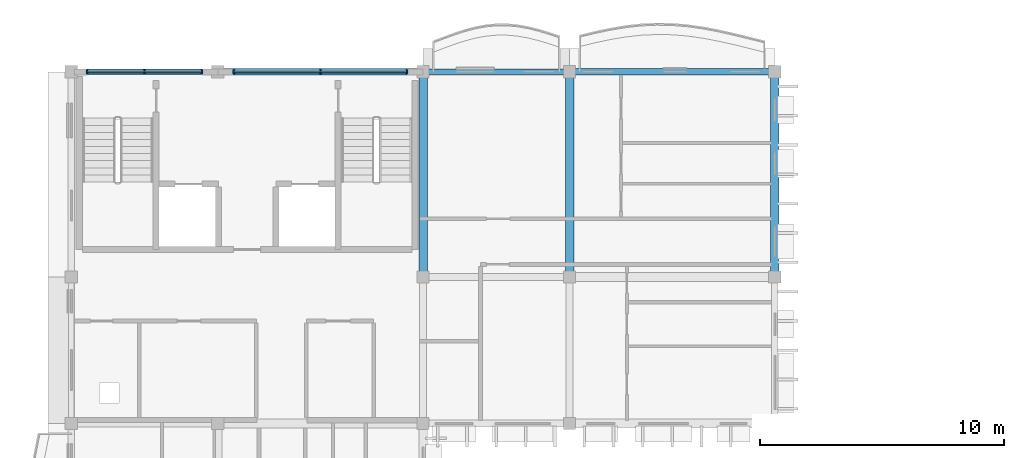
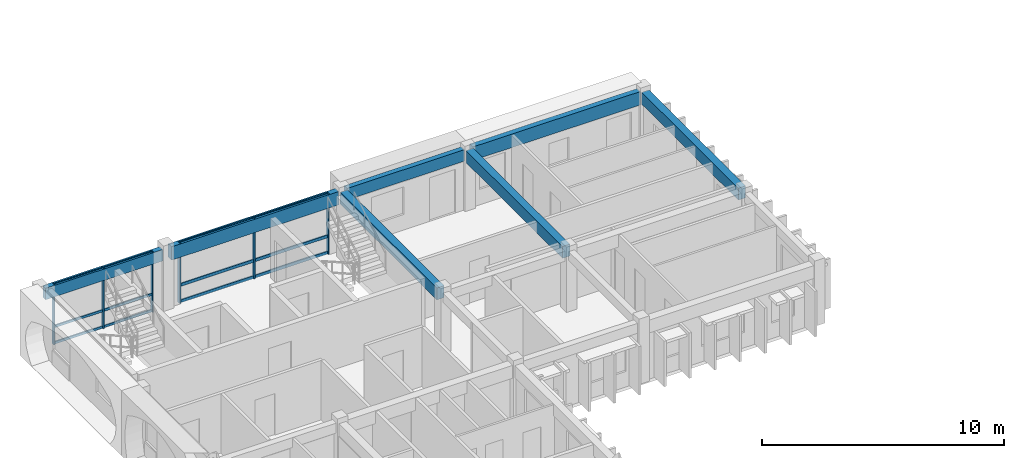
# One storey, part 2 of 28: 12 members, 7 beams, 2 elements without a shape of their own.
"""IFC4 building model written with IfcOpenShell, lengths in metres."""

from ifc_helpers import new_model, si_unit, direction, frame, origin, origin_2d, place, context, subcontext, project, spatial, rectangle, extrude, material, material_profile, profile_set, type_object, element, aggregate, save


model = new_model("IFC4")

# Units and contexts
model_context = context("Model", 3, precision=1e-05, world=origin(), true_north=direction((0.0, 1.0)))
body_context = subcontext(model_context, "Body", "Model", "MODEL_VIEW")
ifc_project = project(units=[si_unit("LENGTHUNIT", "METRE"), si_unit("AREAUNIT", "SQUARE_METRE"), si_unit("VOLUMEUNIT", "CUBIC_METRE"), si_unit("PLANEANGLEUNIT", "RADIAN"), si_unit("MASSUNIT", "GRAM", prefix="KILO"), si_unit("THERMODYNAMICTEMPERATUREUNIT", "KELVIN")], contexts=[model_context])

# Site, building, storey
site_placement = place(None, origin())
site = spatial("IfcSite", under=ifc_project, at=site_placement, CompositionType="ELEMENT")
building_placement = place(site_placement, origin())
building = spatial("IfcBuilding", under=site, at=building_placement, Name="Thalorik Housing Commons", CompositionType="ELEMENT")
storey_placement = place(building_placement, frame((0.0, 0.0, 41.10009765625)))
storey = spatial("IfcBuildingStorey", under=building, at=storey_placement, Name="L12", CompositionType="ELEMENT", Elevation=41.10009765625)

# Curtain wall, members
ifc_material_1 = material(Name="Anodised aluminium and solar-control low-E glass", Category="aluminium")
curtain_wall_type = type_object("IfcCurtainWallType", Name="ARC-CW-CORE", PredefinedType="USERDEFINED", material=ifc_material_1)
curtain_wall_1_placement = place(storey_placement, origin())
curtain_wall_1 = element("IfcCurtainWall", 1, at=curtain_wall_1_placement, inside=storey, type_object=curtain_wall_type, Name="L12 Curtain Wall CW-CORE-L12-A-054", ObjectType="CURTAIN WALL", PredefinedType="USERDEFINED")
ifc_material_2 = material(Name="Anodised aluminium 6063-T6", Category="aluminium")
ifc_material_profile_1 = material_profile(ifc_material_2, rectangle(XDim=0.06005859375, YDim=0.159912109375, at=origin_2d()), Name="ALU MUL 60x160", Category="aluminium")
ifc_profile_set_1 = profile_set([ifc_material_profile_1], Name="Anodised aluminium 6063-T6")
member_type_1 = type_object("IfcMemberType", Name="ARC-CW-MUL-60x160", PredefinedType="MULLION", material=ifc_profile_set_1)
member_1_placement = place(storey_placement, frame((13.75, 123.60009765625, 0.0), z_axis=(0.0, 0.0, 1.0), x_axis=(-1.0, 0.0, 0.0)))
member_1 = element("IfcMember", 2, at=member_1_placement, type_object=member_type_1, Name="CW-CORE-L12-A-054 Mullion 1", PredefinedType="MULLION", context=body_context, shape_type="SweptSolid", body=[
    extrude(rectangle(XDim=0.06005859375, YDim=0.159912109375, at=origin_2d()), origin(), (0.0, 0.0, 1.0), 3.039794921875),
])
member_2_placement = place(storey_placement, frame((11.39990234375, 123.60009765625, 0.0), z_axis=(0.0, 0.0, 1.0), x_axis=(-1.0, 0.0, 0.0)))
member_2 = element("IfcMember", 3, at=member_2_placement, type_object=member_type_1, Name="CW-CORE-L12-A-054 Mullion 2", PredefinedType="MULLION", context=body_context, shape_type="SweptSolid", body=[
    extrude(rectangle(XDim=0.06005859375, YDim=0.159912109375, at=origin_2d()), origin(), (0.0, 0.0, 1.0), 3.039794921875),
])
member_3_placement = place(storey_placement, frame((9.050048828125, 123.60009765625, 0.0), z_axis=(0.0, 0.0, 1.0), x_axis=(-1.0, 0.0, 0.0)))
member_3 = element("IfcMember", 4, at=member_3_placement, type_object=member_type_1, Name="CW-CORE-L12-A-054 Mullion 3", PredefinedType="MULLION", context=body_context, shape_type="SweptSolid", body=[
    extrude(rectangle(XDim=0.06005859375, YDim=0.159912109375, at=origin_2d()), origin(), (0.0, 0.0, 1.0), 3.039794921875),
])

curtain_wall_2_placement = place(storey_placement, origin())
curtain_wall_2 = element("IfcCurtainWall", 5, at=curtain_wall_2_placement, inside=storey, type_object=curtain_wall_type, Name="L12 Curtain Wall CW-CORE-L12-A-053", ObjectType="CURTAIN WALL", PredefinedType="USERDEFINED")
ifc_material_profile_2 = material_profile(ifc_material_2, rectangle(XDim=0.06494140625, YDim=0.179931640625, at=origin_2d()), Name="ALU MUL 65x180", Category="aluminium")
ifc_profile_set_2 = profile_set([ifc_material_profile_2], Name="Anodised aluminium 6063-T6")
member_type_2 = type_object("IfcMemberType", Name="ARC-CW-MUL-65x180", PredefinedType="MULLION", material=ifc_profile_set_2)
member_4_placement = place(storey_placement, frame((22.14990234375, 123.60009765625, 0.0), z_axis=(0.0, 0.0, 1.0), x_axis=(-1.0, 0.0, 0.0)))
member_4 = element("IfcMember", 6, at=member_4_placement, type_object=member_type_2, Name="CW-CORE-L12-A-053 Mullion 1", PredefinedType="MULLION", context=body_context, shape_type="SweptSolid", body=[
    extrude(rectangle(XDim=0.06494140625, YDim=0.179931640625, at=origin_2d()), origin(), (0.0, 0.0, 1.0), 3.039794921875),
])
member_5_placement = place(storey_placement, frame((18.60009765625, 123.60009765625, 0.0), z_axis=(0.0, 0.0, 1.0), x_axis=(-1.0, 0.0, 0.0)))
member_5 = element("IfcMember", 7, at=member_5_placement, type_object=member_type_2, Name="CW-CORE-L12-A-053 Mullion 2", PredefinedType="MULLION", context=body_context, shape_type="SweptSolid", body=[
    extrude(rectangle(XDim=0.06494140625, YDim=0.179931640625, at=origin_2d()), origin(), (0.0, 0.0, 1.0), 3.039794921875),
])
member_6_placement = place(storey_placement, frame((15.050048828125, 123.60009765625, 0.0), z_axis=(0.0, 0.0, 1.0), x_axis=(-1.0, 0.0, 0.0)))
member_6 = element("IfcMember", 8, at=member_6_placement, type_object=member_type_2, Name="CW-CORE-L12-A-053 Mullion 3", PredefinedType="MULLION", context=body_context, shape_type="SweptSolid", body=[
    extrude(rectangle(XDim=0.06494140625, YDim=0.179931640625, at=origin_2d()), origin(), (0.0, 0.0, 1.0), 3.039794921875),
])

# Member
ifc_material_profile_3 = material_profile(ifc_material_2, rectangle(XDim=0.06005859375, YDim=0.1201171875, at=origin_2d()), Name="ALU TRN 60x120", Category="aluminium")
ifc_profile_set_3 = profile_set([ifc_material_profile_3], Name="Anodised aluminium 6063-T6")
member_type_3 = type_object("IfcMemberType", Name="ARC-CW-TRN-60x120", PredefinedType="USERDEFINED", material=ifc_profile_set_3)
member_7_placement = place(storey_placement, frame((13.75, 123.60009765625, 0.054931640625), z_axis=(-1.0, 0.0, 0.0), x_axis=(0.0, -1.0, 0.0)))
member_7 = element("IfcMember", 9, at=member_7_placement, type_object=member_type_3, Name="CW-CORE-L12-A-054 Transom 1", ObjectType="TRANSOM", PredefinedType="USERDEFINED", context=body_context, shape_type="SweptSolid", body=[
    extrude(rectangle(XDim=0.06005859375, YDim=0.1201171875, at=origin_2d()), origin(), (0.0, 0.0, 1.0), 4.699951171875),
])

member_8_placement = place(storey_placement, frame((13.75, 123.60009765625, 0.8798828125), z_axis=(-1.0, 0.0, 0.0), x_axis=(0.0, -1.0, 0.0)))
member_8 = element("IfcMember", 10, at=member_8_placement, type_object=member_type_3, Name="CW-CORE-L12-A-054 Transom 2", ObjectType="TRANSOM", PredefinedType="USERDEFINED", context=body_context, shape_type="SweptSolid", body=[
    extrude(rectangle(XDim=0.06005859375, YDim=0.1201171875, at=origin_2d()), origin(), (0.0, 0.0, 1.0), 4.699951171875),
])

member_9_placement = place(storey_placement, frame((13.75, 123.60009765625, 2.98486328125), z_axis=(-1.0, 0.0, 0.0), x_axis=(0.0, -1.0, 0.0)))
member_9 = element("IfcMember", 11, at=member_9_placement, type_object=member_type_3, Name="CW-CORE-L12-A-054 Transom 3", ObjectType="TRANSOM", PredefinedType="USERDEFINED", context=body_context, shape_type="SweptSolid", body=[
    extrude(rectangle(XDim=0.06005859375, YDim=0.1201171875, at=origin_2d()), origin(), (0.0, 0.0, 1.0), 4.699951171875),
])

aggregate(curtain_wall_1, [member_1, member_2, member_3, member_7, member_8, member_9])

ifc_material_profile_4 = material_profile(ifc_material_2, rectangle(XDim=0.06494140625, YDim=0.14990234375, at=origin_2d()), Name="ALU TRN 65x150", Category="aluminium")
ifc_profile_set_4 = profile_set([ifc_material_profile_4], Name="Anodised aluminium 6063-T6")
member_type_4 = type_object("IfcMemberType", Name="ARC-CW-TRN-65x150", PredefinedType="USERDEFINED", material=ifc_profile_set_4)
member_10_placement = place(storey_placement, frame((22.14990234375, 123.60009765625, 0.054931640625), z_axis=(-1.0, 0.0, 0.0), x_axis=(0.0, -1.0, 0.0)))
member_10 = element("IfcMember", 12, at=member_10_placement, type_object=member_type_4, Name="CW-CORE-L12-A-053 Transom 1", ObjectType="TRANSOM", PredefinedType="USERDEFINED", context=body_context, shape_type="SweptSolid", body=[
    extrude(rectangle(XDim=0.06494140625, YDim=0.14990234375, at=origin_2d()), origin(), (0.0, 0.0, 1.0), 7.099853515625),
])

member_11_placement = place(storey_placement, frame((22.14990234375, 123.60009765625, 0.8798828125), z_axis=(-1.0, 0.0, 0.0), x_axis=(0.0, -1.0, 0.0)))
member_11 = element("IfcMember", 13, at=member_11_placement, type_object=member_type_4, Name="CW-CORE-L12-A-053 Transom 2", ObjectType="TRANSOM", PredefinedType="USERDEFINED", context=body_context, shape_type="SweptSolid", body=[
    extrude(rectangle(XDim=0.06494140625, YDim=0.14990234375, at=origin_2d()), origin(), (0.0, 0.0, 1.0), 7.099853515625),
])

member_12_placement = place(storey_placement, frame((22.14990234375, 123.60009765625, 2.98486328125), z_axis=(-1.0, 0.0, 0.0), x_axis=(0.0, -1.0, 0.0)))
member_12 = element("IfcMember", 14, at=member_12_placement, type_object=member_type_4, Name="CW-CORE-L12-A-053 Transom 3", ObjectType="TRANSOM", PredefinedType="USERDEFINED", context=body_context, shape_type="SweptSolid", body=[
    extrude(rectangle(XDim=0.06494140625, YDim=0.14990234375, at=origin_2d()), origin(), (0.0, 0.0, 1.0), 7.099853515625),
])

aggregate(curtain_wall_2, [member_4, member_5, member_6, member_10, member_11, member_12])

# Beams
ifc_material_3 = material(Name="Precast concrete C40/50", Category="concrete")
ifc_material_profile_5 = material_profile(ifc_material_3, rectangle(XDim=0.35009765625, YDim=0.60009765625, at=origin_2d()), Name="PC 350x600", Category="concrete")
ifc_profile_set_5 = profile_set([ifc_material_profile_5], Name="Precast concrete C40/50")
beam_type_1 = type_object("IfcBeamType", Name="STR-BM-PC350x600", PredefinedType="BEAM", material=ifc_profile_set_5)
for number, where, z_axis, x_axis, name in (
    (15, (22.800048828125, 115.39990234375, 2.739990234375), (0.0, 1.0, 0.0), (-1.0, 0.0, 0.0), "L12 Beam B-600"),
    (16, (28.800048828125, 115.39990234375, 2.739990234375), (0.0, 1.0, 0.0), (-1.0, 0.0, 0.0), "L12 Beam B-600"),
    (17, (37.199951171875, 115.39990234375, 2.739990234375), (0.0, 1.0, 0.0), (-1.0, 0.0, 0.0), "L12 Beam B-600"),
):
    element("IfcBeam", number, at=place(storey_placement, frame(where, z_axis=z_axis, x_axis=x_axis)), inside=storey, type_object=beam_type_1, Name=name, PredefinedType="BEAM", context=body_context, shape_type="SweptSolid", body=[
        extrude(rectangle(XDim=0.35009765625, YDim=0.60009765625, at=origin_2d()), origin(), (0.0, 0.0, 1.0), 8.0),
    ])
ifc_material_profile_6 = material_profile(ifc_material_3, rectangle(XDim=0.239990234375, YDim=0.580078125, at=origin_2d()), Name="PC SP 240x580", Category="concrete")
ifc_profile_set_6 = profile_set([ifc_material_profile_6], Name="Precast concrete C40/50")
beam_type_2 = type_object("IfcBeamType", Name="STR-SP-PC240x580", PredefinedType="SPANDREL", material=ifc_profile_set_6)
beam_1_placement = place(storey_placement, frame((8.60009765625, 123.60009765625, 2.75), z_axis=(1.0, 0.0, 0.0), x_axis=(0.0, 1.0, 0.0)))
element("IfcBeam", 18, at=beam_1_placement, inside=storey, type_object=beam_type_2, Name="L12 Beam B-500", PredefinedType="SPANDREL", context=body_context, shape_type="SweptSolid", body=[
    extrude(rectangle(XDim=0.239990234375, YDim=0.580078125, at=origin_2d()), origin(), (0.0, 0.0, 1.0), 5.599853515625),
])
beam_2_placement = place(storey_placement, frame((23.0, 123.60009765625, 2.75), z_axis=(1.0, 0.0, 0.0), x_axis=(0.0, 1.0, 0.0)))
element("IfcBeam", 19, at=beam_2_placement, inside=storey, type_object=beam_type_2, Name="L12 Beam B-500", PredefinedType="SPANDREL", context=body_context, shape_type="SweptSolid", body=[
    extrude(rectangle(XDim=0.239990234375, YDim=0.580078125, at=origin_2d()), origin(), (0.0, 0.0, 1.0), 5.60009765625),
])
ifc_material_profile_7 = material_profile(ifc_material_3, rectangle(XDim=0.260009765625, YDim=0.679931640625, at=origin_2d()), Name="PC SP 260x680", Category="concrete")
ifc_profile_set_7 = profile_set([ifc_material_profile_7], Name="Precast concrete C40/50")
beam_type_3 = type_object("IfcBeamType", Name="STR-SP-PC260x680", PredefinedType="SPANDREL", material=ifc_profile_set_7)
for number, where, z_axis, x_axis, name in (
    (20, (14.60009765625, 123.60009765625, 2.699951171875), (1.0, 0.0, 0.0), (0.0, 1.0, 0.0), "L12 Beam B-650"),
    (21, (29.0, 123.60009765625, 2.699951171875), (1.0, 0.0, 0.0), (0.0, 1.0, 0.0), "L12 Beam B-650"),
):
    element("IfcBeam", number, at=place(storey_placement, frame(where, z_axis=z_axis, x_axis=x_axis)), inside=storey, type_object=beam_type_3, Name=name, PredefinedType="SPANDREL", context=body_context, shape_type="SweptSolid", body=[
        extrude(rectangle(XDim=0.260009765625, YDim=0.679931640625, at=origin_2d()), origin(), (0.0, 0.0, 1.0), 8.0),
    ])

save(model, "model.ifc")
